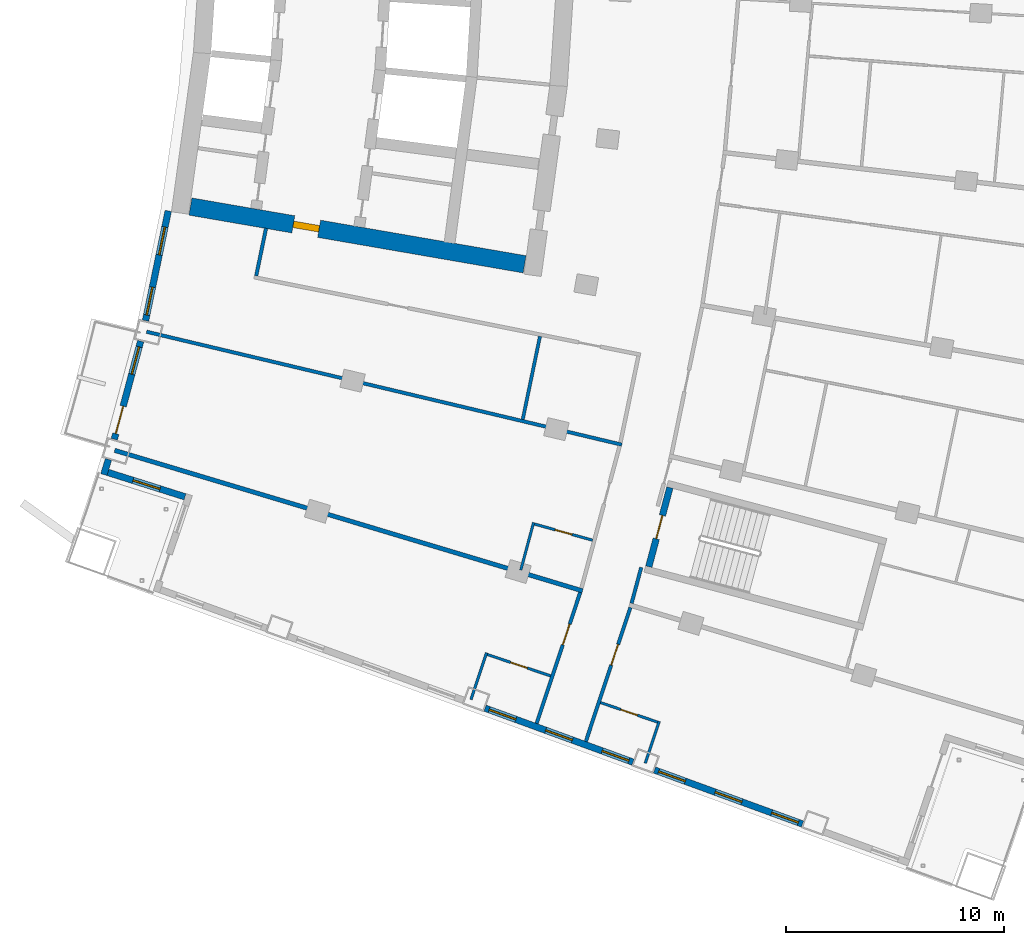
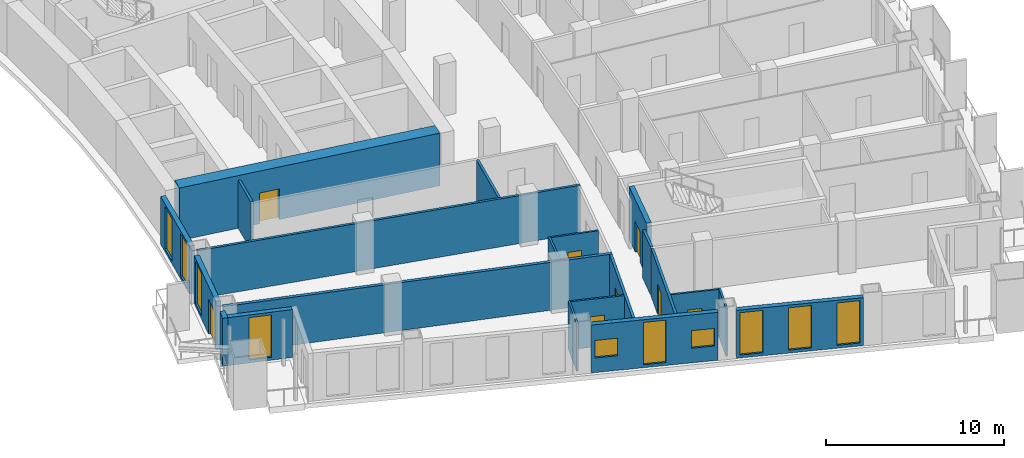
# One storey, part 13 of 25: 21 walls, 10 windows, 8 doors, 18 openings.
"""IFC4 building model written with IfcOpenShell, lengths in metres."""

import ifcopenshell
import ifcopenshell.guid

model = None  # the IFC model being written
_history = None  # IfcOwnerHistory: only IFC2X3 demands one
_inside = {}  # id of a spatial element -> (the spatial element, [elements in it])
_under = {}  # id of a project, library or spatial element -> (it, [spatial elements below it])
_declared = {}  # id of a project -> (the project, [libraries it declares])
_typed = {}  # id of a type object -> (the type object, [elements of that type])
_made_of = {}  # id of a material, layer set ... -> (it, [elements and type objects made of it])


def new_model(schema):
    """Start an empty IFC model of exactly this schema.

    Asked for "IFC4X3", IfcOpenShell would pick the latest addendum, in which some entities
    have other attributes; the version numbers below select the first issue.
    IFC2X3 requires an IfcOwnerHistory on every rooted entity: one is made here for all.
    """
    global model, _history
    if schema == "IFC4X3":
        model = ifcopenshell.file(schema_version=(4, 3, 0, 0))
    else:
        model = ifcopenshell.file(schema=schema)
    _inside.clear()
    _under.clear()
    _declared.clear()
    _typed.clear()
    _made_of.clear()
    _history = None
    if model.schema == "IFC2X3":
        org = make("IfcOrganization", Name="unknown")
        user = make(
            "IfcPersonAndOrganization",
            ThePerson=make("IfcPerson", FamilyName="unknown"),
            TheOrganization=org,
        )
        app = make(
            "IfcApplication",
            ApplicationDeveloper=org,
            Version="unknown",
            ApplicationFullName="unknown",
            ApplicationIdentifier="unknown",
        )
        _history = make(
            "IfcOwnerHistory",
            OwningUser=user,
            OwningApplication=app,
            ChangeAction="ADDED",
            CreationDate=0,
        )
    return model


def make(cls, **values):
    """One entity of the class cls with the attributes given. An attribute that is None is left unset."""
    return model.create_entity(
        cls, **{name: value for name, value in values.items() if value is not None}
    )


def rooted(cls, **values):
    """An entity with a GlobalId (a new one), such as an element, a storey or a relation."""
    return make(cls, GlobalId=ifcopenshell.guid.new(), OwnerHistory=_history, **values)


def si_unit(unit_type, name, prefix=None):
    """IfcSIUnit, for example si_unit("LENGTHUNIT", "METRE", prefix="MILLI")."""
    return make("IfcSIUnit", UnitType=unit_type, Prefix=prefix, Name=name)


def assignment(units):
    """IfcUnitAssignment: the units of a project."""
    return None if units is None else make("IfcUnitAssignment", Units=units)


def point(xyz):
    """IfcCartesianPoint."""
    return None if xyz is None else make("IfcCartesianPoint", Coordinates=xyz)


def direction(xyz):
    """IfcDirection."""
    return None if xyz is None else make("IfcDirection", DirectionRatios=xyz)


def frame(location, z_axis=None, x_axis=None):
    """IfcAxis2Placement3D, a coordinate frame: its origin and axes. An axis left out is left unset."""
    return make(
        "IfcAxis2Placement3D",
        Location=point(location),
        Axis=direction(z_axis),
        RefDirection=direction(x_axis),
    )


def frame_2d(location, x_axis=None):
    """IfcAxis2Placement2D, a coordinate frame in the plane: its origin and x axis."""
    return make(
        "IfcAxis2Placement2D", Location=point(location), RefDirection=direction(x_axis)
    )


def origin():
    """The frame at (0, 0, 0) with its axes left unset."""
    return frame((0.0, 0.0, 0.0))


def place(relative_to, where):
    """IfcLocalPlacement: puts the frame where relative to a parent placement (None: the world)."""
    return make(
        "IfcLocalPlacement", PlacementRelTo=relative_to, RelativePlacement=where
    )


def context(
    kind, dimensions, precision=None, world=None, true_north=None, identifier=None
):
    """IfcGeometricRepresentationContext, for example the 3D "Model" context."""
    return make(
        "IfcGeometricRepresentationContext",
        ContextIdentifier=identifier,
        ContextType=kind,
        CoordinateSpaceDimension=dimensions,
        Precision=precision,
        WorldCoordinateSystem=world,
        TrueNorth=true_north,
    )


def subcontext(parent, identifier, kind, view, scale=None):
    """IfcGeometricRepresentationSubContext, for example "Body" below "Model"."""
    return make(
        "IfcGeometricRepresentationSubContext",
        ContextIdentifier=identifier,
        ContextType=kind,
        ParentContext=parent,
        TargetScale=scale,
        TargetView=view,
    )


def project(units=None, contexts=None):
    """IfcProject with its units and contexts."""
    return rooted(
        "IfcProject",
        Name="project",
        RepresentationContexts=contexts,
        UnitsInContext=assignment(units),
    )


def spatial(cls, under=None, at=None, **own):
    """A site, building, storey or space (cls), placed at a placement, below another one or the project."""
    s = rooted(cls, ObjectPlacement=at, **own)
    if under is not None:
        _under.setdefault(under.id(), (under, []))[1].append(s)
    return s


def profile(cls, at=None, kind="AREA", **sizes):
    """A parametric profile (cls). Its sizes go by their IFC names, for example OverallWidth=200.0."""
    return make(cls, ProfileType=kind, Position=at, **sizes)


def rectangle(**sizes):
    """IfcRectangleProfileDef."""
    return profile("IfcRectangleProfileDef", **sizes)


def extrude(swept, where, along, depth):
    """IfcExtrudedAreaSolid: the profile swept, set in the frame where, extruded along a direction by depth."""
    return make(
        "IfcExtrudedAreaSolid",
        SweptArea=swept,
        Position=where,
        ExtrudedDirection=direction(along),
        Depth=depth,
    )


def shape(context_of_items, identifier, shape_type, items):
    """IfcShapeRepresentation: the items that make up one representation, for example the "Body"."""
    return make(
        "IfcShapeRepresentation",
        ContextOfItems=context_of_items,
        RepresentationIdentifier=identifier,
        RepresentationType=shape_type,
        Items=items,
    )


def material(Name=None, Category=None):
    """IfcMaterial."""
    return make("IfcMaterial", Name=Name, Category=Category)


def layer(
    of_material, thickness, ventilated=None, Name=None, Category=None, Priority=None
):
    """IfcMaterialLayer: one layer of a wall or slab, of a material (None: an air gap)."""
    return make(
        "IfcMaterialLayer",
        Material=of_material,
        LayerThickness=thickness,
        IsVentilated=ventilated,
        Name=Name,
        Category=Category,
        Priority=Priority,
    )


def layer_set(layers, Name=None):
    """IfcMaterialLayerSet."""
    return make("IfcMaterialLayerSet", MaterialLayers=layers, LayerSetName=Name)


def made_of(thing, what):
    """Note that an element or type object is made of a material, layer set ...; save() writes the relation."""
    if what is not None:
        _made_of.setdefault(what.id(), (what, []))[1].append(thing)
    return thing


def type_object(cls, material=None, **own):
    """A type object (cls), such as IfcWallType, which elements share."""
    return made_of(rooted(cls, **own), material)


def element(
    cls,
    number,
    at=None,
    inside=None,
    cuts=None,
    type_object=None,
    material=None,
    context=None,
    identifier="Body",
    shape_type=None,
    held_by="IfcProductDefinitionShape",
    body=None,
    shapes=None,
    **own,
):
    """One element of the class cls, such as IfcWall. Its Tag is "e" and its number.

    at: its placement. inside: the storey or other place that contains it. cuts: it is an
    opening in that element (IfcRelVoidsElement). A single representation is given by context,
    identifier, shape_type and body (its items); several are given by shapes. held_by: the class
    of the entity that holds the representations. save() writes the other relations.
    """
    e = rooted(cls, Tag="e%d" % number, ObjectPlacement=at, **own)
    if body is not None:
        shapes = [shape(context, identifier, shape_type, body)]
    if shapes is not None:
        e.Representation = make(held_by, Representations=shapes)
    if inside is not None:
        _inside.setdefault(inside.id(), (inside, []))[1].append(e)
    if cuts is not None:
        rooted(
            "IfcRelVoidsElement", RelatingBuildingElement=cuts, RelatedOpeningElement=e
        )
    if type_object is not None:
        _typed.setdefault(type_object.id(), (type_object, []))[1].append(e)
    return made_of(e, material)


def fill(opening, filler):
    """IfcRelFillsElement: the door or window that sits in an opening."""
    return rooted(
        "IfcRelFillsElement",
        RelatingOpeningElement=opening,
        RelatedBuildingElement=filler,
    )


def aggregate(whole, parts):
    """IfcRelAggregates: a whole, such as a stair, and the parts it consists of."""
    return rooted("IfcRelAggregates", RelatingObject=whole, RelatedObjects=parts)


def save(model, path):
    """Write the relations noted so far, then the file.

    IfcRelAggregates (storeys below a building ...), IfcRelContainedInSpatialStructure (elements
    in a storey), IfcRelDefinesByType, IfcRelAssociatesMaterial and IfcRelDeclares: one each for
    every whole, place, type object, material and project.
    """
    for whole, parts in _under.values():
        aggregate(whole, parts)
    for where, things in _inside.values():
        rooted(
            "IfcRelContainedInSpatialStructure",
            RelatedElements=things,
            RelatingStructure=where,
        )
    for kind, things in _typed.values():
        rooted("IfcRelDefinesByType", RelatedObjects=things, RelatingType=kind)
    for what, things in _made_of.values():
        rooted("IfcRelAssociatesMaterial", RelatedObjects=things, RelatingMaterial=what)
    for by, libraries in _declared.values():
        rooted("IfcRelDeclares", RelatingContext=by, RelatedDefinitions=libraries)
    model.write(path)


model = new_model("IFC4")

# Units and contexts
model_context = context("Model", 3, precision=1e-05, world=origin(), true_north=direction((0.0, 1.0)))
body_context = subcontext(model_context, "Body", "Model", "MODEL_VIEW")
ifc_project = project(units=[si_unit("LENGTHUNIT", "METRE"), si_unit("AREAUNIT", "SQUARE_METRE"), si_unit("VOLUMEUNIT", "CUBIC_METRE"), si_unit("PLANEANGLEUNIT", "RADIAN"), si_unit("MASSUNIT", "GRAM", prefix="KILO")], contexts=[model_context])

# Site, building, storey
site_placement = place(None, origin())
site = spatial("IfcSite", under=ifc_project, at=site_placement, CompositionType="ELEMENT")
building_placement = place(site_placement, origin())
building = spatial("IfcBuilding", under=site, at=building_placement, Name="Alderwake Tower", CompositionType="ELEMENT")
storey_placement = place(building_placement, frame((0.0, 0.0, 118.39990234375)))
storey = spatial("IfcBuildingStorey", under=building, at=storey_placement, Name="L29", CompositionType="ELEMENT", Elevation=118.39990234375)

# Wall, opening, door
ifc_material_1 = material(Name="Concrete C70/85", Category="concrete")
ifc_layer_1 = layer(ifc_material_1, 0.800048828125)
ifc_layer_set_1 = layer_set([ifc_layer_1], Name="Core wall outer 800 C70-85")
wall_type_1 = type_object("IfcWallType", Name="Core wall outer 800 C70-85", PredefinedType="SHEAR", material=ifc_layer_set_1)
wall_1_placement = place(storey_placement, frame((31.20458984375, 41.776611328125, 0.0), z_axis=(0.0, 0.0, 1.0), x_axis=(-0.985386537175, 0.170333121719, 0.0)))
wall_1 = element("IfcWall", 1, at=wall_1_placement, inside=storey, type_object=wall_type_1, Name="Core wall CW.071", PredefinedType="SHEAR", context=body_context, shape_type="SweptSolid", body=[
    extrude(rectangle(XDim=15.537109375, YDim=0.800048828125, at=frame_2d((7.7685546875, 0.0))), origin(), (0.0, 0.0, 1.0), 3.60009765625),
])
opening_1_placement = place(wall_1_placement, frame((9.5537109375, 0.0, 0.0)))
opening_1 = element("IfcOpeningElement", 2, at=opening_1_placement, cuts=wall_1, Name="Opening C003", PredefinedType="OPENING", context=body_context, shape_type="SweptSolid", body=[
    extrude(rectangle(XDim=1.199951171875, YDim=2.10009765625, at=frame_2d((0.60009765625, 1.050048828125))), frame((0.0, 0.409912109375, 0.0), z_axis=(0.0, -1.0, 0.0), x_axis=(1.0, 0.0, 0.0)), (0.0, 0.0, 1.0), 0.820068359375),
])
ifc_material_2 = material(Name="Steel-framed fire door leaf", Category="steel")
door_type_1 = type_object("IfcDoorType", Name="Core lobby exit door 1200 fire-rated", OperationType="SINGLE_SWING_LEFT", PredefinedType="DOOR", material=ifc_material_2)
door_1_placement = place(opening_1_placement, origin())
door_1 = element("IfcDoor", 3, at=door_1_placement, inside=storey, type_object=door_type_1, Name="Lobby door", OperationType="SINGLE_SWING_LEFT", OverallHeight=2.10009765625, OverallWidth=1.199951171875, PredefinedType="DOOR", context=body_context, shape_type="SweptSolid", body=[
    extrude(rectangle(XDim=1.199951171875, YDim=2.10009765625, at=frame_2d((0.60009765625, 1.050048828125))), frame((0.0, 0.14990234375, 0.0), z_axis=(0.0, -1.0, 0.0), x_axis=(1.0, 0.0, 0.0)), (0.0, 0.0, 1.0), 0.300048828125),
])
fill(opening_1, door_1)

ifc_material_3 = material(Name="Concrete C70/85", Category="concrete")
ifc_layer_2 = layer(ifc_material_3, 0.300048828125)
ifc_layer_set_2 = layer_set([ifc_layer_2], Name="Core wall stair enclosure 300 C70-85")
wall_type_2 = type_object("IfcWallType", Name="Core wall stair enclosure 300 C70-85", PredefinedType="SHEAR", material=ifc_layer_set_2)
wall_2_placement = place(storey_placement, frame((36.89501953125, 27.923828125, 0.0), z_axis=(0.0, 0.0, 1.0), x_axis=(0.257350630826, 0.966318090907, 0.0)))
wall_2 = element("IfcWall", 4, at=wall_2_placement, inside=storey, type_object=wall_type_2, Name="Core wall CW.087", PredefinedType="SHEAR", context=body_context, shape_type="SweptSolid", body=[
    extrude(rectangle(XDim=3.75, YDim=0.300048828125, at=frame_2d((1.875, 0.0))), origin(), (0.0, 0.0, 1.0), 3.60009765625),
])
opening_2_placement = place(wall_2_placement, frame((1.324951171875, 0.0, 0.0)))
opening_2 = element("IfcOpeningElement", 5, at=opening_2_placement, cuts=wall_2, Name="Opening C065", PredefinedType="OPENING", context=body_context, shape_type="SweptSolid", body=[
    extrude(rectangle(XDim=1.10009765625, YDim=2.10009765625, at=frame_2d((0.550048828125, 1.050048828125))), frame((0.0, 0.159912109375, 0.0), z_axis=(0.0, -1.0, 0.0), x_axis=(1.0, 0.0, 0.0)), (0.0, 0.0, 1.0), 0.320068359375),
])
ifc_material_4 = material(Name="Steel-framed fire door leaf", Category="steel")
door_type_2 = type_object("IfcDoorType", Name="Core stair door 1100 fire-rated", OperationType="SINGLE_SWING_LEFT", PredefinedType="DOOR", material=ifc_material_4)
door_2_placement = place(opening_2_placement, origin())
door_2 = element("IfcDoor", 6, at=door_2_placement, inside=storey, type_object=door_type_2, Name="Stair door", OperationType="SINGLE_SWING_RIGHT", OverallHeight=2.10009765625, OverallWidth=1.10009765625, PredefinedType="DOOR", context=body_context, shape_type="SweptSolid", body=[
    extrude(rectangle(XDim=1.10009765625, YDim=2.10009765625, at=frame_2d((0.550048828125, 1.050048828125))), frame((0.0, 0.02490234375, 0.0), z_axis=(0.0, -1.0, 0.0), x_axis=(1.0, 0.0, 0.0)), (0.0, 0.0, 1.0), 0.050048828125),
])
fill(opening_2, door_2)

# Walls
ifc_material_5 = material(Name="Gypsum board on metal studs, rated")
ifc_layer_3 = layer(ifc_material_5, 0.159912109375)
ifc_layer_set_3 = layer_set([ifc_layer_3], Name="Corridor wall 160")
wall_type_3 = type_object("IfcWallType", Name="Corridor wall 160", PredefinedType="PARTITIONING", material=ifc_layer_set_3)
wall_3_placement = place(storey_placement, frame((13.884033203125, 38.68798828125, 0.0), z_axis=(0.0, 0.0, 1.0), x_axis=(0.972893462073, -0.231253781493, 0.0)))
element("IfcWall", 7, at=wall_3_placement, inside=storey, type_object=wall_type_3, Name="WL/L29/W16", PredefinedType="PARTITIONING", context=body_context, shape_type="SweptSolid", body=[
    extrude(rectangle(XDim=22.38037109375, YDim=0.159912109375, at=frame_2d((11.190185546875, 0.0))), origin(), (0.0, 0.0, 1.0), 3.280029296875),
])
wall_4_placement = place(storey_placement, frame((19.35888671875, 43.430908203125, 0.0), z_axis=(0.0, 0.0, 1.0), x_axis=(-0.202554916658, -0.979270905183, 0.0)))
element("IfcWall", 8, at=wall_4_placement, inside=storey, type_object=wall_type_3, Name="WL/L29/W19", PredefinedType="PARTITIONING", context=body_context, shape_type="SweptSolid", body=[
    extrude(rectangle(XDim=2.229736328125, YDim=0.159912109375, at=frame_2d((1.11474609375, 0.0))), origin(), (0.0, 0.0, 1.0), 3.280029296875),
])

# Wall, opening, door
wall_5_placement = place(storey_placement, frame((31.7548828125, 20.739013671875, 0.0), z_axis=(0.0, 0.0, 1.0), x_axis=(0.31554473692, 0.948910701279, 0.0)))
wall_5 = element("IfcWall", 9, at=wall_5_placement, inside=storey, type_object=wall_type_3, Name="WL/L29/W21", PredefinedType="PARTITIONING", context=body_context, shape_type="SweptSolid", body=[
    extrude(rectangle(XDim=6.327392578125, YDim=0.159912109375, at=frame_2d((3.16357421875, 0.0))), origin(), (0.0, 0.0, 1.0), 3.280029296875),
])
opening_3_placement = place(wall_5_placement, frame((3.799072265625, 0.0, 0.0)))
opening_3 = element("IfcOpeningElement", 10, at=opening_3_placement, cuts=wall_5, Name="Opening R08-U11.1", PredefinedType="OPENING", context=body_context, shape_type="SweptSolid", body=[
    extrude(rectangle(XDim=1.0, YDim=2.10009765625, at=frame_2d((0.5, 1.050048828125))), frame((0.0, 0.08984375, 0.0), z_axis=(0.0, -1.0, 0.0), x_axis=(1.0, 0.0, 0.0)), (0.0, 0.0, 1.0), 0.179931640625),
])
ifc_material_6 = material(Name="Solid timber leaf in steel frame", Category="steel")
door_type_3 = type_object("IfcDoorType", Name="Flat entrance door 1000 fire-rated", OperationType="SINGLE_SWING_LEFT", PredefinedType="DOOR", material=ifc_material_6)
door_3_placement = place(opening_3_placement, origin())
door_3 = element("IfcDoor", 11, at=door_3_placement, inside=storey, type_object=door_type_3, Name="DR/L29/U11.1", OperationType="SINGLE_SWING_LEFT", OverallHeight=2.10009765625, OverallWidth=1.0, PredefinedType="DOOR", context=body_context, shape_type="SweptSolid", body=[
    extrude(rectangle(XDim=1.0, YDim=2.10009765625, at=frame_2d((0.5, 1.050048828125))), frame((0.0, 0.02490234375, 0.0), z_axis=(0.0, -1.0, 0.0), x_axis=(1.0, 0.0, 0.0)), (0.0, 0.0, 1.0), 0.050048828125),
])
fill(opening_3, door_3)

wall_6_placement = place(storey_placement, frame((36.049560546875, 26.052978515625, 0.0), z_axis=(0.0, 0.0, 1.0), x_axis=(-0.315151894598, -0.949041244273, 0.0)))
wall_6 = element("IfcWall", 12, at=wall_6_placement, inside=storey, type_object=wall_type_3, Name="WL/L29/W23", PredefinedType="PARTITIONING", context=body_context, shape_type="SweptSolid", body=[
    extrude(rectangle(XDim=6.468505859375, YDim=0.159912109375, at=frame_2d((3.234375, 0.0))), origin(), (0.0, 0.0, 1.0), 3.280029296875),
])
opening_4_placement = place(wall_6_placement, frame((1.7822265625, 0.0, 0.0)))
opening_4 = element("IfcOpeningElement", 13, at=opening_4_placement, cuts=wall_6, Name="Opening R08-U03.1", PredefinedType="OPENING", context=body_context, shape_type="SweptSolid", body=[
    extrude(rectangle(XDim=1.0, YDim=2.10009765625, at=frame_2d((0.5, 1.050048828125))), frame((0.0, 0.08984375, 0.0), z_axis=(0.0, -1.0, 0.0), x_axis=(1.0, 0.0, 0.0)), (0.0, 0.0, 1.0), 0.179931640625),
])
door_4_placement = place(opening_4_placement, origin())
door_4 = element("IfcDoor", 14, at=door_4_placement, inside=storey, type_object=door_type_3, Name="DR/L29/U03.1", OperationType="SINGLE_SWING_LEFT", OverallHeight=2.10009765625, OverallWidth=1.0, PredefinedType="DOOR", context=body_context, shape_type="SweptSolid", body=[
    extrude(rectangle(XDim=1.0, YDim=2.10009765625, at=frame_2d((0.5, 1.050048828125))), frame((0.0, 0.02490234375, 0.0), z_axis=(0.0, -1.0, 0.0), x_axis=(1.0, 0.0, 0.0)), (0.0, 0.0, 1.0), 0.050048828125),
])
fill(opening_4, door_4)

# Walls
wall_7_placement = place(storey_placement, frame((36.10693359375, 26.24462890625, 0.0), z_axis=(0.0, 0.0, 1.0), x_axis=(0.259346865847, 0.965784242559, 0.0)))
element("IfcWall", 15, at=wall_7_placement, inside=storey, type_object=wall_type_3, Name="WL/L29/W27", PredefinedType="PARTITIONING", context=body_context, shape_type="SweptSolid", body=[
    extrude(rectangle(XDim=1.704833984375, YDim=0.159912109375, at=frame_2d((0.8525390625, 0.0))), origin(), (0.0, 0.0, 1.0), 3.280029296875),
])
ifc_material_7 = material(Name="Precast concrete C50/60 spandrel panel", Category="concrete")
ifc_layer_4 = layer(ifc_material_7, 0.300048828125)
ifc_layer_set_4 = layer_set([ifc_layer_4], Name="External wall EW1 Precast concrete C50/60 spandrel")
wall_type_4 = type_object("IfcWallType", Name="External wall EW1 Precast concrete C50/60 spandrel", PredefinedType="SOLIDWALL", material=ifc_layer_set_4)
wall_8_placement = place(storey_placement, frame((12.14013671875, 32.83837890625, 0.0), z_axis=(0.0, 0.0, 1.0), x_axis=(-0.294604532955, -0.955619259518, 0.0)))
element("IfcWall", 16, at=wall_8_placement, inside=storey, type_object=wall_type_4, Name="External wall 1", PredefinedType="SOLIDWALL", context=body_context, shape_type="SweptSolid", body=[
    extrude(rectangle(XDim=0.7275390625, YDim=0.300048828125, at=frame_2d((0.36376953125, 0.0))), origin(), (0.0, 0.0, 1.0), 3.280029296875),
])

# Wall, openings, windows
wall_9_placement = place(storey_placement, frame((14.878173828125, 44.223388671875, 0.0), z_axis=(0.0, 0.0, 1.0), x_axis=(-0.202723539143, -0.979236011734, 0.0)))
wall_9 = element("IfcWall", 17, at=wall_9_placement, inside=storey, type_object=wall_type_4, Name="External wall 35", PredefinedType="SOLIDWALL", context=body_context, shape_type="SweptSolid", body=[
    extrude(rectangle(XDim=5.134033203125, YDim=0.300048828125, at=frame_2d((2.56689453125, 0.0))), origin(), (0.0, 0.0, 1.0), 3.280029296875),
])
opening_5_placement = place(wall_9_placement, frame((0.75634765625, 0.0, 0.199951171875)))
opening_5 = element("IfcOpeningElement", 18, at=opening_5_placement, cuts=wall_9, Name="Opening W1", PredefinedType="OPENING", context=body_context, shape_type="SweptSolid", body=[
    extrude(rectangle(XDim=1.300048828125, YDim=2.89990234375, at=frame_2d((0.64990234375, 1.449951171875))), frame((0.0, 0.159912109375, 0.0), z_axis=(0.0, -1.0, 0.0), x_axis=(1.0, 0.0, 0.0)), (0.0, 0.0, 1.0), 0.320068359375),
])
opening_6_placement = place(wall_9_placement, frame((3.569091796875, 0.0, 0.199951171875)))
opening_6 = element("IfcOpeningElement", 19, at=opening_6_placement, cuts=wall_9, Name="Opening W1", PredefinedType="OPENING", context=body_context, shape_type="SweptSolid", body=[
    extrude(rectangle(XDim=1.300048828125, YDim=2.89990234375, at=frame_2d((0.64990234375, 1.449951171875))), frame((0.0, 0.159912109375, 0.0), z_axis=(0.0, -1.0, 0.0), x_axis=(1.0, 0.0, 0.0)), (0.0, 0.0, 1.0), 0.320068359375),
])
ifc_material_8 = material(Name="Bronze tinted glass in aluminium frame", Category="aluminium")
window_type_1 = type_object("IfcWindowType", Name="Window W1 tall fixed and vent", PartitioningType="DOUBLE_PANEL_VERTICAL", PredefinedType="WINDOW", material=ifc_material_8)
window_1_placement = place(opening_5_placement, origin())
window_1 = element("IfcWindow", 20, at=window_1_placement, inside=storey, type_object=window_type_1, Name="Window W1 tall fixed and vent", OverallHeight=2.89990234375, OverallWidth=1.300048828125, PartitioningType="DOUBLE_PANEL_VERTICAL", PredefinedType="WINDOW", context=body_context, shape_type="SweptSolid", body=[
    extrude(rectangle(XDim=1.300048828125, YDim=2.89990234375, at=frame_2d((0.64990234375, 1.449951171875))), frame((0.0, 0.030029296875, 0.0), z_axis=(0.0, -1.0, 0.0), x_axis=(1.0, 0.0, 0.0)), (0.0, 0.0, 1.0), 0.06005859375),
])
fill(opening_5, window_1)
window_2_placement = place(opening_6_placement, origin())
window_2 = element("IfcWindow", 21, at=window_2_placement, inside=storey, type_object=window_type_1, Name="Window W1 tall fixed and vent", OverallHeight=2.89990234375, OverallWidth=1.300048828125, PartitioningType="DOUBLE_PANEL_VERTICAL", PredefinedType="WINDOW", context=body_context, shape_type="SweptSolid", body=[
    extrude(rectangle(XDim=1.300048828125, YDim=2.89990234375, at=frame_2d((0.64990234375, 1.449951171875))), frame((0.0, 0.030029296875, 0.0), z_axis=(0.0, -1.0, 0.0), x_axis=(1.0, 0.0, 0.0)), (0.0, 0.0, 1.0), 0.06005859375),
])
fill(opening_6, window_2)

# Wall, openings, door, window
wall_10_placement = place(storey_placement, frame((13.61328125, 38.254150390625, 0.0), z_axis=(0.0, 0.0, 1.0), x_axis=(-0.259468933642, -0.965751454814, 0.0)))
wall_10 = element("IfcWall", 22, at=wall_10_placement, inside=storey, type_object=wall_type_4, Name="External wall 36", PredefinedType="SOLIDWALL", context=body_context, shape_type="SweptSolid", body=[
    extrude(rectangle(XDim=4.65087890625, YDim=0.300048828125, at=frame_2d((2.325439453125, 0.0))), origin(), (0.0, 0.0, 1.0), 3.280029296875),
])
opening_7_placement = place(wall_10_placement, frame((0.26708984375, 0.0, 0.199951171875)))
opening_7 = element("IfcOpeningElement", 23, at=opening_7_placement, cuts=wall_10, Name="Opening W1", PredefinedType="OPENING", context=body_context, shape_type="SweptSolid", body=[
    extrude(rectangle(XDim=1.300048828125, YDim=2.89990234375, at=frame_2d((0.64990234375, 1.449951171875))), frame((0.0, 0.159912109375, 0.0), z_axis=(0.0, -1.0, 0.0), x_axis=(1.0, 0.0, 0.0)), (0.0, 0.0, 1.0), 0.320068359375),
])
opening_8_placement = place(wall_10_placement, frame((3.083984375, 0.0, 0.0)))
opening_8 = element("IfcOpeningElement", 24, at=opening_8_placement, cuts=wall_10, Name="Opening D16", PredefinedType="OPENING", context=body_context, shape_type="SweptSolid", body=[
    extrude(rectangle(XDim=1.300048828125, YDim=2.39990234375, at=frame_2d((0.64990234375, 1.199951171875))), frame((0.0, 0.159912109375, 0.0), z_axis=(0.0, -1.0, 0.0), x_axis=(1.0, 0.0, 0.0)), (0.0, 0.0, 1.0), 0.320068359375),
])
ifc_material_9 = material(Name="Bronze tinted glass in aluminium frame", Category="aluminium")
door_type_4 = type_object("IfcDoorType", Name="Balcony door BD sliding", OperationType="SLIDING_TO_LEFT", PredefinedType="DOOR", material=ifc_material_9)
door_5_placement = place(opening_8_placement, origin())
door_5 = element("IfcDoor", 25, at=door_5_placement, inside=storey, type_object=door_type_4, Name="Door D16", OperationType="SLIDING_TO_LEFT", OverallHeight=2.39990234375, OverallWidth=1.300048828125, PredefinedType="DOOR", context=body_context, shape_type="SweptSolid", body=[
    extrude(rectangle(XDim=1.300048828125, YDim=2.39990234375, at=frame_2d((0.64990234375, 1.199951171875))), frame((0.0, 0.02490234375, 0.0), z_axis=(0.0, -1.0, 0.0), x_axis=(1.0, 0.0, 0.0)), (0.0, 0.0, 1.0), 0.050048828125),
])
fill(opening_8, door_5)
window_3_placement = place(opening_7_placement, origin())
window_3 = element("IfcWindow", 26, at=window_3_placement, inside=storey, type_object=window_type_1, Name="Window W1 tall fixed and vent", OverallHeight=2.89990234375, OverallWidth=1.300048828125, PartitioningType="DOUBLE_PANEL_VERTICAL", PredefinedType="WINDOW", context=body_context, shape_type="SweptSolid", body=[
    extrude(rectangle(XDim=1.300048828125, YDim=2.89990234375, at=frame_2d((0.64990234375, 1.449951171875))), frame((0.0, 0.030029296875, 0.0), z_axis=(0.0, -1.0, 0.0), x_axis=(1.0, 0.0, 0.0)), (0.0, 0.0, 1.0), 0.06005859375),
])
fill(opening_7, window_3)

# Wall, opening, window
ifc_material_10 = material(Name="Bronze metal cladding on lightweight framing")
ifc_layer_5 = layer(ifc_material_10, 0.300048828125)
ifc_layer_set_5 = layer_set([ifc_layer_5], Name="External wall EW2 bronze metal cladding")
wall_type_5 = type_object("IfcWallType", Name="External wall EW2 bronze metal cladding", PredefinedType="SOLIDWALL", material=ifc_layer_set_5)
wall_11_placement = place(storey_placement, frame((12.113037109375, 32.2412109375, 0.0), z_axis=(0.0, 0.0, 1.0), x_axis=(0.953458128271, -0.301525451054, 0.0)))
wall_11 = element("IfcWall", 27, at=wall_11_placement, inside=storey, type_object=wall_type_5, Name="External wall 2", PredefinedType="SOLIDWALL", context=body_context, shape_type="SweptSolid", body=[
    extrude(rectangle(XDim=3.705810546875, YDim=0.300048828125, at=frame_2d((1.85302734375, 0.0))), origin(), (0.0, 0.0, 1.0), 3.280029296875),
])
opening_9_placement = place(wall_11_placement, frame((1.202880859375, 0.0, 0.199951171875)))
opening_9 = element("IfcOpeningElement", 28, at=opening_9_placement, cuts=wall_11, Name="Opening W1", PredefinedType="OPENING", context=body_context, shape_type="SweptSolid", body=[
    extrude(rectangle(XDim=1.300048828125, YDim=2.89990234375, at=frame_2d((0.64990234375, 1.449951171875))), frame((0.0, 0.159912109375, 0.0), z_axis=(0.0, -1.0, 0.0), x_axis=(1.0, 0.0, 0.0)), (0.0, 0.0, 1.0), 0.320068359375),
])
window_4_placement = place(opening_9_placement, origin())
window_4 = element("IfcWindow", 29, at=window_4_placement, inside=storey, type_object=window_type_1, Name="Window W1 tall fixed and vent", OverallHeight=2.89990234375, OverallWidth=1.300048828125, PartitioningType="DOUBLE_PANEL_VERTICAL", PredefinedType="WINDOW", context=body_context, shape_type="SweptSolid", body=[
    extrude(rectangle(XDim=1.300048828125, YDim=2.89990234375, at=frame_2d((0.64990234375, 1.449951171875))), frame((0.0, 0.030029296875, 0.0), z_axis=(0.0, -1.0, 0.0), x_axis=(1.0, 0.0, 0.0)), (0.0, 0.0, 1.0), 0.06005859375),
])
fill(opening_9, window_4)

# Wall, openings, windows
wall_12_placement = place(storey_placement, frame((29.39306640625, 21.44091796875, 0.0), z_axis=(0.0, 0.0, 1.0), x_axis=(0.939375665231, -0.342889719256, 0.0)))
wall_12 = element("IfcWall", 30, at=wall_12_placement, inside=storey, type_object=wall_type_5, Name="External wall 6", PredefinedType="SOLIDWALL", context=body_context, shape_type="SweptSolid", body=[
    extrude(rectangle(XDim=7.212646484375, YDim=0.300048828125, at=frame_2d((3.6064453125, 0.0))), origin(), (0.0, 0.0, 1.0), 3.280029296875),
])
opening_10_placement = place(wall_12_placement, frame((0.20068359375, 0.0, 1.0)))
opening_10 = element("IfcOpeningElement", 31, at=opening_10_placement, cuts=wall_12, Name="Opening W2", PredefinedType="OPENING", context=body_context, shape_type="SweptSolid", body=[
    extrude(rectangle(XDim=1.300048828125, YDim=1.199951171875, at=frame_2d((0.64990234375, 0.60009765625))), frame((0.0, 0.159912109375, 0.0), z_axis=(0.0, -1.0, 0.0), x_axis=(1.0, 0.0, 0.0)), (0.0, 0.0, 1.0), 0.320068359375),
])
opening_11_placement = place(wall_12_placement, frame((2.956298828125, 0.0, 0.199951171875)))
opening_11 = element("IfcOpeningElement", 32, at=opening_11_placement, cuts=wall_12, Name="Opening W1", PredefinedType="OPENING", context=body_context, shape_type="SweptSolid", body=[
    extrude(rectangle(XDim=1.300048828125, YDim=2.89990234375, at=frame_2d((0.64990234375, 1.449951171875))), frame((0.0, 0.159912109375, 0.0), z_axis=(0.0, -1.0, 0.0), x_axis=(1.0, 0.0, 0.0)), (0.0, 0.0, 1.0), 0.320068359375),
])
opening_12_placement = place(wall_12_placement, frame((5.7119140625, 0.0, 1.0)))
opening_12 = element("IfcOpeningElement", 33, at=opening_12_placement, cuts=wall_12, Name="Opening W2", PredefinedType="OPENING", context=body_context, shape_type="SweptSolid", body=[
    extrude(rectangle(XDim=1.300048828125, YDim=1.199951171875, at=frame_2d((0.64990234375, 0.60009765625))), frame((0.0, 0.159912109375, 0.0), z_axis=(0.0, -1.0, 0.0), x_axis=(1.0, 0.0, 0.0)), (0.0, 0.0, 1.0), 0.320068359375),
])
window_5_placement = place(opening_11_placement, origin())
window_5 = element("IfcWindow", 34, at=window_5_placement, inside=storey, type_object=window_type_1, Name="Window W1 tall fixed and vent", OverallHeight=2.89990234375, OverallWidth=1.300048828125, PartitioningType="DOUBLE_PANEL_VERTICAL", PredefinedType="WINDOW", context=body_context, shape_type="SweptSolid", body=[
    extrude(rectangle(XDim=1.300048828125, YDim=2.89990234375, at=frame_2d((0.64990234375, 1.449951171875))), frame((0.0, 0.030029296875, 0.0), z_axis=(0.0, -1.0, 0.0), x_axis=(1.0, 0.0, 0.0)), (0.0, 0.0, 1.0), 0.06005859375),
])
fill(opening_11, window_5)
ifc_material_11 = material(Name="Bronze tinted glass in aluminium frame", Category="aluminium")
window_type_2 = type_object("IfcWindowType", Name="Window W2 kitchen and bath", PartitioningType="SINGLE_PANEL", PredefinedType="WINDOW", material=ifc_material_11)
window_6_placement = place(opening_10_placement, origin())
window_6 = element("IfcWindow", 35, at=window_6_placement, inside=storey, type_object=window_type_2, Name="Window W2 kitchen and bath", OverallHeight=1.199951171875, OverallWidth=1.300048828125, PartitioningType="SINGLE_PANEL", PredefinedType="WINDOW", context=body_context, shape_type="SweptSolid", body=[
    extrude(rectangle(XDim=1.300048828125, YDim=1.199951171875, at=frame_2d((0.64990234375, 0.60009765625))), frame((0.0, 0.030029296875, 0.0), z_axis=(0.0, -1.0, 0.0), x_axis=(1.0, 0.0, 0.0)), (0.0, 0.0, 1.0), 0.06005859375),
])
fill(opening_10, window_6)
window_7_placement = place(opening_12_placement, origin())
window_7 = element("IfcWindow", 36, at=window_7_placement, inside=storey, type_object=window_type_2, Name="Window W2 kitchen and bath", OverallHeight=1.199951171875, OverallWidth=1.300048828125, PartitioningType="SINGLE_PANEL", PredefinedType="WINDOW", context=body_context, shape_type="SweptSolid", body=[
    extrude(rectangle(XDim=1.300048828125, YDim=1.199951171875, at=frame_2d((0.64990234375, 0.60009765625))), frame((0.0, 0.030029296875, 0.0), z_axis=(0.0, -1.0, 0.0), x_axis=(1.0, 0.0, 0.0)), (0.0, 0.0, 1.0), 0.06005859375),
])
fill(opening_12, window_7)

wall_13_placement = place(storey_placement, frame((37.15869140625, 18.6064453125, 0.0), z_axis=(0.0, 0.0, 1.0), x_axis=(0.939364762064, -0.342919587939, 0.0)))
wall_13 = element("IfcWall", 37, at=wall_13_placement, inside=storey, type_object=wall_type_5, Name="External wall 7", PredefinedType="SOLIDWALL", context=body_context, shape_type="SweptSolid", body=[
    extrude(rectangle(XDim=7.212646484375, YDim=0.300048828125, at=frame_2d((3.6064453125, 0.0))), origin(), (0.0, 0.0, 1.0), 3.280029296875),
])
opening_13_placement = place(wall_13_placement, frame((0.20068359375, 0.0, 0.199951171875)))
opening_13 = element("IfcOpeningElement", 38, at=opening_13_placement, cuts=wall_13, Name="Opening W1", PredefinedType="OPENING", context=body_context, shape_type="SweptSolid", body=[
    extrude(rectangle(XDim=1.300048828125, YDim=2.89990234375, at=frame_2d((0.64990234375, 1.449951171875))), frame((0.0, 0.159912109375, 0.0), z_axis=(0.0, -1.0, 0.0), x_axis=(1.0, 0.0, 0.0)), (0.0, 0.0, 1.0), 0.320068359375),
])
opening_14_placement = place(wall_13_placement, frame((2.956298828125, 0.0, 0.199951171875)))
opening_14 = element("IfcOpeningElement", 39, at=opening_14_placement, cuts=wall_13, Name="Opening W1", PredefinedType="OPENING", context=body_context, shape_type="SweptSolid", body=[
    extrude(rectangle(XDim=1.300048828125, YDim=2.89990234375, at=frame_2d((0.64990234375, 1.449951171875))), frame((0.0, 0.159912109375, 0.0), z_axis=(0.0, -1.0, 0.0), x_axis=(1.0, 0.0, 0.0)), (0.0, 0.0, 1.0), 0.320068359375),
])
opening_15_placement = place(wall_13_placement, frame((5.7119140625, 0.0, 0.199951171875)))
opening_15 = element("IfcOpeningElement", 40, at=opening_15_placement, cuts=wall_13, Name="Opening W1", PredefinedType="OPENING", context=body_context, shape_type="SweptSolid", body=[
    extrude(rectangle(XDim=1.300048828125, YDim=2.89990234375, at=frame_2d((0.64990234375, 1.449951171875))), frame((0.0, 0.159912109375, 0.0), z_axis=(0.0, -1.0, 0.0), x_axis=(1.0, 0.0, 0.0)), (0.0, 0.0, 1.0), 0.320068359375),
])
window_8_placement = place(opening_13_placement, origin())
window_8 = element("IfcWindow", 41, at=window_8_placement, inside=storey, type_object=window_type_1, Name="Window W1 tall fixed and vent", OverallHeight=2.89990234375, OverallWidth=1.300048828125, PartitioningType="DOUBLE_PANEL_VERTICAL", PredefinedType="WINDOW", context=body_context, shape_type="SweptSolid", body=[
    extrude(rectangle(XDim=1.300048828125, YDim=2.89990234375, at=frame_2d((0.64990234375, 1.449951171875))), frame((0.0, 0.030029296875, 0.0), z_axis=(0.0, -1.0, 0.0), x_axis=(1.0, 0.0, 0.0)), (0.0, 0.0, 1.0), 0.06005859375),
])
fill(opening_13, window_8)
window_9_placement = place(opening_14_placement, origin())
window_9 = element("IfcWindow", 42, at=window_9_placement, inside=storey, type_object=window_type_1, Name="Window W1 tall fixed and vent", OverallHeight=2.89990234375, OverallWidth=1.300048828125, PartitioningType="DOUBLE_PANEL_VERTICAL", PredefinedType="WINDOW", context=body_context, shape_type="SweptSolid", body=[
    extrude(rectangle(XDim=1.300048828125, YDim=2.89990234375, at=frame_2d((0.64990234375, 1.449951171875))), frame((0.0, 0.030029296875, 0.0), z_axis=(0.0, -1.0, 0.0), x_axis=(1.0, 0.0, 0.0)), (0.0, 0.0, 1.0), 0.06005859375),
])
fill(opening_14, window_9)
window_10_placement = place(opening_15_placement, origin())
window_10 = element("IfcWindow", 43, at=window_10_placement, inside=storey, type_object=window_type_1, Name="Window W1 tall fixed and vent", OverallHeight=2.89990234375, OverallWidth=1.300048828125, PartitioningType="DOUBLE_PANEL_VERTICAL", PredefinedType="WINDOW", context=body_context, shape_type="SweptSolid", body=[
    extrude(rectangle(XDim=1.300048828125, YDim=2.89990234375, at=frame_2d((0.64990234375, 1.449951171875))), frame((0.0, 0.030029296875, 0.0), z_axis=(0.0, -1.0, 0.0), x_axis=(1.0, 0.0, 0.0)), (0.0, 0.0, 1.0), 0.06005859375),
])
fill(opening_15, window_10)

# Walls
ifc_material_12 = material(Name="Dense block masonry wall", Category="masonry")
ifc_layer_6 = layer(ifc_material_12, 0.199951171875)
ifc_layer_set_6 = layer_set([ifc_layer_6], Name="Party wall 200")
wall_type_6 = type_object("IfcWallType", Name="Party wall 200", PredefinedType="SOLIDWALL", material=ifc_layer_set_6)
wall_14_placement = place(storey_placement, frame((33.859619140625, 26.81494140625, 0.0), z_axis=(0.0, 0.0, 1.0), x_axis=(-0.95775179957, 0.287596054251, 0.0)))
element("IfcWall", 44, at=wall_14_placement, inside=storey, type_object=wall_type_6, Name="WL/L29/W03", PredefinedType="SOLIDWALL", context=body_context, shape_type="SweptSolid", body=[
    extrude(rectangle(XDim=22.382080078125, YDim=0.199951171875, at=frame_2d((11.19091796875, 0.0))), origin(), (0.0, 0.0, 1.0), 3.280029296875),
])
ifc_material_13 = material(Name="Gypsum shaft wall system, rated")
ifc_layer_7 = layer(ifc_material_13, 0.14990234375)
ifc_layer_set_7 = layer_set([ifc_layer_7], Name="Riser and shaft wall 150")
wall_type_7 = type_object("IfcWallType", Name="Riser and shaft wall 150", PredefinedType="PARTITIONING", material=ifc_layer_set_7)
wall_15_placement = place(storey_placement, frame((31.120361328125, 34.67138671875, 0.0), z_axis=(0.0, 0.0, 1.0), x_axis=(0.203103989328, 0.979157173042, 0.0)))
element("IfcWall", 45, at=wall_15_placement, inside=storey, type_object=wall_type_7, Name="WL/L29/W14", PredefinedType="PARTITIONING", context=body_context, shape_type="SweptSolid", body=[
    extrude(rectangle(XDim=3.887451171875, YDim=0.14990234375, at=frame_2d((1.94384765625, 0.0))), origin(), (0.0, 0.0, 1.0), 3.280029296875),
])
ifc_material_14 = material(Name="Moisture resistant gypsum board on metal studs")
ifc_layer_8 = layer(ifc_material_14, 0.1201171875)
ifc_layer_set_8 = layer_set([ifc_layer_8], Name="Wet room partition 120")
wall_type_8 = type_object("IfcWallType", Name="Wet room partition 120", PredefinedType="PARTITIONING", material=ifc_layer_set_8)
wall_16_placement = place(storey_placement, frame((29.4609375, 23.975830078125, 0.0), z_axis=(0.0, 0.0, 1.0), x_axis=(-0.31580536125, -0.948823995168, 0.0)))
element("IfcWall", 46, at=wall_16_placement, inside=storey, type_object=wall_type_8, Name="WL/L29/W45", PredefinedType="PARTITIONING", context=body_context, shape_type="SweptSolid", body=[
    extrude(rectangle(XDim=2.25439453125, YDim=0.1201171875, at=frame_2d((1.127197265625, 0.0))), origin(), (0.0, 0.0, 1.0), 3.280029296875),
])
wall_17_placement = place(storey_placement, frame((31.61767578125, 29.949951171875, 0.0), z_axis=(0.0, 0.0, 1.0), x_axis=(-0.259713776358, -0.965685639517, 0.0)))
element("IfcWall", 47, at=wall_17_placement, inside=storey, type_object=wall_type_8, Name="WL/L29/W47", PredefinedType="PARTITIONING", context=body_context, shape_type="SweptSolid", body=[
    extrude(rectangle(XDim=2.2587890625, YDim=0.1201171875, at=frame_2d((1.12939453125, 0.0))), origin(), (0.0, 0.0, 1.0), 3.280029296875),
])

# Wall, opening, door
wall_18_placement = place(storey_placement, frame((32.396240234375, 22.918701171875, 0.0), z_axis=(0.0, 0.0, 1.0), x_axis=(-0.947164130145, 0.320749295505, 0.0)))
wall_18 = element("IfcWall", 48, at=wall_18_placement, inside=storey, type_object=wall_type_8, Name="WL/L29/W48", PredefinedType="PARTITIONING", context=body_context, shape_type="SweptSolid", body=[
    extrude(rectangle(XDim=3.05908203125, YDim=0.1201171875, at=frame_2d((1.529541015625, 0.0))), origin(), (0.0, 0.0, 1.0), 3.280029296875),
])
opening_16_placement = place(wall_18_placement, frame((1.12939453125, 0.0, 0.0)))
opening_16 = element("IfcOpeningElement", 49, at=opening_16_placement, cuts=wall_18, Name="Opening R08-U11.2", PredefinedType="OPENING", context=body_context, shape_type="SweptSolid", body=[
    extrude(rectangle(XDim=0.800048828125, YDim=2.10009765625, at=frame_2d((0.39990234375, 1.050048828125))), frame((0.0, 0.070068359375, 0.0), z_axis=(0.0, -1.0, 0.0), x_axis=(1.0, 0.0, 0.0)), (0.0, 0.0, 1.0), 0.14013671875),
])
ifc_material_15 = material(Name="Painted timber leaf", Category="wood")
door_type_5 = type_object("IfcDoorType", Name="Bathroom door 800", OperationType="SINGLE_SWING_LEFT", PredefinedType="DOOR", material=ifc_material_15)
door_6_placement = place(opening_16_placement, origin())
door_6 = element("IfcDoor", 50, at=door_6_placement, inside=storey, type_object=door_type_5, Name="DR/L29/U11.2", OperationType="SINGLE_SWING_LEFT", OverallHeight=2.10009765625, OverallWidth=0.800048828125, PredefinedType="DOOR", context=body_context, shape_type="SweptSolid", body=[
    extrude(rectangle(XDim=0.800048828125, YDim=2.10009765625, at=frame_2d((0.39990234375, 1.050048828125))), frame((0.0, 0.02490234375, 0.0), z_axis=(0.0, -1.0, 0.0), x_axis=(1.0, 0.0, 0.0)), (0.0, 0.0, 1.0), 0.050048828125),
])
fill(opening_16, door_6)

wall_19_placement = place(storey_placement, frame((34.31787109375, 29.136474609375, 0.0), z_axis=(0.0, 0.0, 1.0), x_axis=(-0.963407530319, 0.268040912036, 0.0)))
wall_19 = element("IfcWall", 51, at=wall_19_placement, inside=storey, type_object=wall_type_8, Name="WL/L29/W49", PredefinedType="PARTITIONING", context=body_context, shape_type="SweptSolid", body=[
    extrude(rectangle(XDim=2.759033203125, YDim=0.1201171875, at=frame_2d((1.37939453125, 0.0))), origin(), (0.0, 0.0, 1.0), 3.280029296875),
])
opening_17_placement = place(wall_19_placement, frame((0.9794921875, 0.0, 0.0)))
opening_17 = element("IfcOpeningElement", 52, at=opening_17_placement, cuts=wall_19, Name="Opening R08-U12.2", PredefinedType="OPENING", context=body_context, shape_type="SweptSolid", body=[
    extrude(rectangle(XDim=0.800048828125, YDim=2.10009765625, at=frame_2d((0.39990234375, 1.050048828125))), frame((0.0, 0.070068359375, 0.0), z_axis=(0.0, -1.0, 0.0), x_axis=(1.0, 0.0, 0.0)), (0.0, 0.0, 1.0), 0.14013671875),
])
door_7_placement = place(opening_17_placement, origin())
door_7 = element("IfcDoor", 53, at=door_7_placement, inside=storey, type_object=door_type_5, Name="DR/L29/U12.2", OperationType="SINGLE_SWING_LEFT", OverallHeight=2.10009765625, OverallWidth=0.800048828125, PredefinedType="DOOR", context=body_context, shape_type="SweptSolid", body=[
    extrude(rectangle(XDim=0.800048828125, YDim=2.10009765625, at=frame_2d((0.39990234375, 1.050048828125))), frame((0.0, 0.02490234375, 0.0), z_axis=(0.0, -1.0, 0.0), x_axis=(1.0, 0.0, 0.0)), (0.0, 0.0, 1.0), 0.050048828125),
])
fill(opening_17, door_7)

# Wall
wall_20_placement = place(storey_placement, frame((36.735107421875, 18.9208984375, 0.0), z_axis=(0.0, 0.0, 1.0), x_axis=(0.315212330495, 0.949021172948, 0.0)))
element("IfcWall", 54, at=wall_20_placement, inside=storey, type_object=wall_type_8, Name="WL/L29/W51", PredefinedType="PARTITIONING", context=body_context, shape_type="SweptSolid", body=[
    extrude(rectangle(XDim=2.02001953125, YDim=0.1201171875, at=frame_2d((1.010009765625, 0.0))), origin(), (0.0, 0.0, 1.0), 3.280029296875),
])

# Wall, opening, door
wall_21_placement = place(storey_placement, frame((37.29638671875, 20.800537109375, 0.0), z_axis=(0.0, 0.0, 1.0), x_axis=(-0.94575033225, 0.324894304427, 0.0)))
wall_21 = element("IfcWall", 55, at=wall_21_placement, inside=storey, type_object=wall_type_8, Name="WL/L29/W52", PredefinedType="PARTITIONING", context=body_context, shape_type="SweptSolid", body=[
    extrude(rectangle(XDim=2.75927734375, YDim=0.1201171875, at=frame_2d((1.379638671875, 0.0))), origin(), (0.0, 0.0, 1.0), 3.280029296875),
])
opening_18_placement = place(wall_21_placement, frame((0.9794921875, 0.0, 0.0)))
opening_18 = element("IfcOpeningElement", 56, at=opening_18_placement, cuts=wall_21, Name="Opening R08-U03.2", PredefinedType="OPENING", context=body_context, shape_type="SweptSolid", body=[
    extrude(rectangle(XDim=0.800048828125, YDim=2.10009765625, at=frame_2d((0.39990234375, 1.050048828125))), frame((0.0, 0.070068359375, 0.0), z_axis=(0.0, -1.0, 0.0), x_axis=(1.0, 0.0, 0.0)), (0.0, 0.0, 1.0), 0.14013671875),
])
door_8_placement = place(opening_18_placement, origin())
door_8 = element("IfcDoor", 57, at=door_8_placement, inside=storey, type_object=door_type_5, Name="DR/L29/U03.2", OperationType="SINGLE_SWING_LEFT", OverallHeight=2.10009765625, OverallWidth=0.800048828125, PredefinedType="DOOR", context=body_context, shape_type="SweptSolid", body=[
    extrude(rectangle(XDim=0.800048828125, YDim=2.10009765625, at=frame_2d((0.39990234375, 1.050048828125))), frame((0.0, 0.02490234375, 0.0), z_axis=(0.0, -1.0, 0.0), x_axis=(1.0, 0.0, 0.0)), (0.0, 0.0, 1.0), 0.050048828125),
])
fill(opening_18, door_8)

save(model, "model.ifc")
